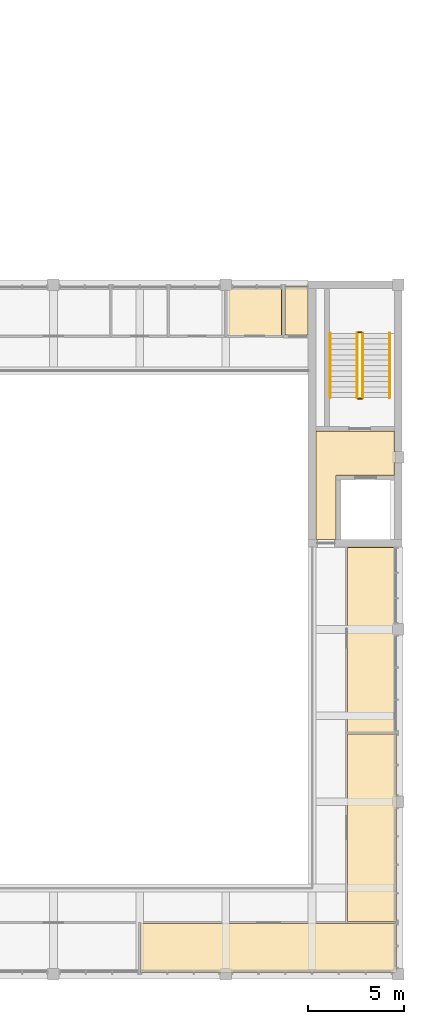
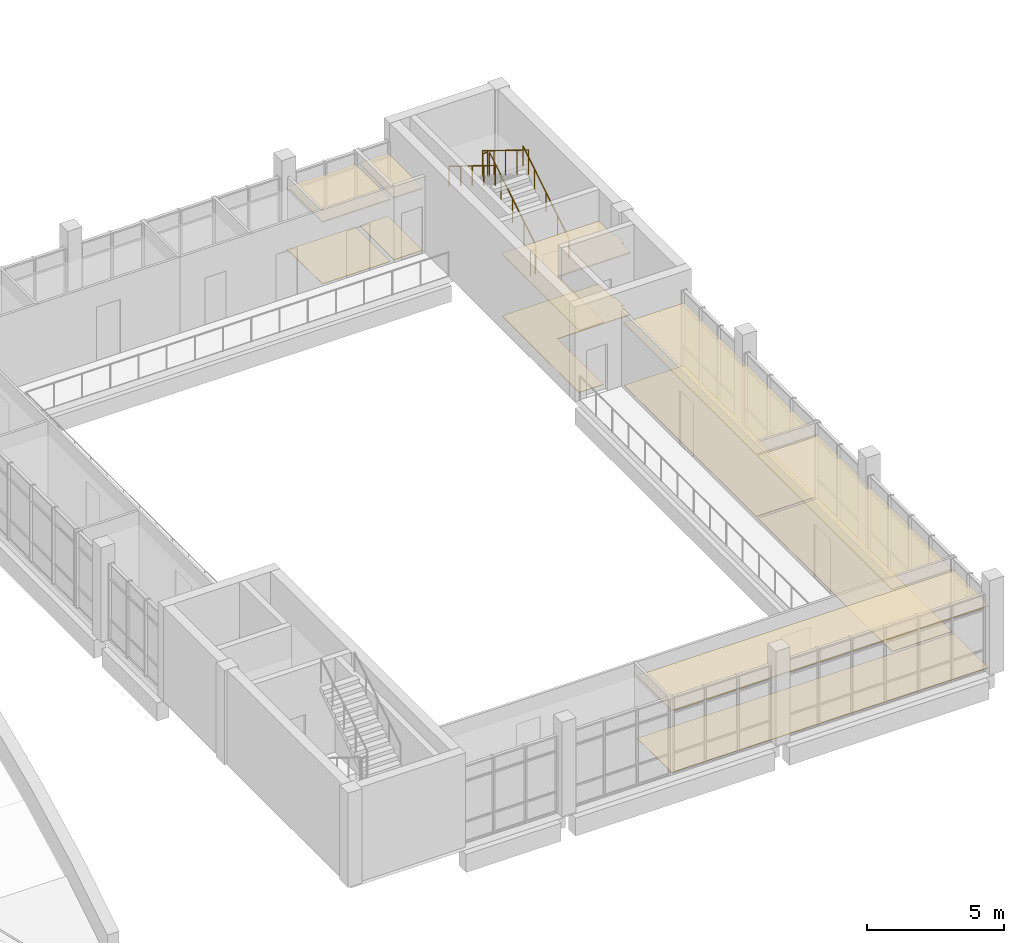
# One storey, part 70 of 88: 12 coverings, 6 railings.
"""IFC4 building model written with IfcOpenShell, lengths in metres."""

from ifc_helpers import new_model, si_unit, direction, frame, origin, origin_2d, place, context, subcontext, project, spatial, polyline, circle, outline, extrude, material, layer, layer_set, type_object, element, save


model = new_model("IFC4")

# Units and contexts
model_context = context("Model", 3, precision=1e-05, world=origin(), true_north=direction((0.0, 1.0)))
body_context = subcontext(model_context, "Body", "Model", "MODEL_VIEW")
ifc_project = project(units=[si_unit("LENGTHUNIT", "METRE"), si_unit("AREAUNIT", "SQUARE_METRE"), si_unit("VOLUMEUNIT", "CUBIC_METRE"), si_unit("PLANEANGLEUNIT", "RADIAN"), si_unit("MASSUNIT", "GRAM", prefix="KILO")], contexts=[model_context])

# Site, building, storey
site_placement = place(None, origin())
site = spatial("IfcSite", under=ifc_project, at=site_placement, CompositionType="ELEMENT")
building_placement = place(site_placement, origin())
building = spatial("IfcBuilding", under=site, at=building_placement, Name="Merrow Basin Faculty of Sciences", CompositionType="ELEMENT")
storey_placement = place(building_placement, frame((0.0, 0.0, 9.0)))
storey = spatial("IfcBuildingStorey", under=building, at=storey_placement, Name="L02", CompositionType="ELEMENT", Elevation=9.0)

# Coverings
ifc_material_1 = material(Name="Carpet tile floor")
ifc_layer_1 = layer(ifc_material_1, 0.02001953125)
ifc_layer_set_1 = layer_set([ifc_layer_1], Name="Carpet tile floor")
covering_type_1 = type_object("IfcCoveringType", Name="Carpet tile floor", PredefinedType="FLOORING", material=ifc_layer_set_1)
covering_1_placement = place(storey_placement, origin())
element("IfcCovering", 1, at=covering_1_placement, inside=storey, type_object=covering_type_1, Name="Floor finish L02-A-008", PredefinedType="FLOORING", context=body_context, shape_type="SweptSolid", body=[
    extrude(outline(polyline([(71.889892578125, 0.110107421875), (58.56005859375, 0.110107421875), (58.56005859375, 2.639892578125), (71.889892578125, 2.639892578125), (71.889892578125, 0.110107421875)])), origin(), (0.0, 0.0, 1.0), 0.02001953125),
])
covering_2_placement = place(storey_placement, origin())
element("IfcCovering", 2, at=covering_2_placement, inside=storey, type_object=covering_type_1, Name="Floor finish L02-A-009", PredefinedType="FLOORING", context=body_context, shape_type="SweptSolid", body=[
    extrude(outline(polyline([(71.889892578125, 2.760009765625), (69.360107421875, 2.760009765625), (69.360107421875, 12.5400390625), (71.889892578125, 12.5400390625), (71.889892578125, 2.760009765625)])), origin(), (0.0, 0.0, 1.0), 0.02001953125),
])
covering_3_placement = place(storey_placement, origin())
element("IfcCovering", 3, at=covering_3_placement, inside=storey, type_object=covering_type_1, Name="Floor finish L02-A-010", PredefinedType="FLOORING", context=body_context, shape_type="SweptSolid", body=[
    extrude(outline(polyline([(71.889892578125, 12.659912109375), (69.360107421875, 12.659912109375), (69.360107421875, 22.2900390625), (71.889892578125, 22.2900390625), (71.889892578125, 12.659912109375)])), origin(), (0.0, 0.0, 1.0), 0.02001953125),
])
ifc_material_2 = material(Name="Ceramic floor tile")
ifc_layer_2 = layer(ifc_material_2, 0.02001953125)
ifc_layer_set_2 = layer_set([ifc_layer_2], Name="Ceramic floor tile")
covering_type_2 = type_object("IfcCoveringType", Name="Ceramic floor tile", PredefinedType="FLOORING", material=ifc_layer_set_2)
covering_4_placement = place(storey_placement, origin())
element("IfcCovering", 4, at=covering_4_placement, inside=storey, type_object=covering_type_2, Name="Floor finish L02-A-015", PredefinedType="FLOORING", context=body_context, shape_type="SweptSolid", body=[
    extrude(outline(polyline([(63.010009765625, 35.889892578125), (65.9150390625, 35.889892578125), (65.9150390625, 33.360107421875), (63.06005859375, 33.360107421875), (63.06005859375, 35.7099609375), (63.010009765625, 35.7099609375), (63.010009765625, 35.889892578125)])), origin(), (0.0, 0.0, 1.0), 0.02001953125),
])
ifc_material_3 = material(Name="Polished terrazzo floor")
ifc_layer_3 = layer(ifc_material_3, 0.02001953125)
ifc_layer_set_3 = layer_set([ifc_layer_3], Name="Polished terrazzo floor")
covering_type_3 = type_object("IfcCoveringType", Name="Polished terrazzo floor", PredefinedType="FLOORING", material=ifc_layer_set_3)
covering_5_placement = place(storey_placement, origin())
element("IfcCovering", 5, at=covering_5_placement, inside=storey, type_object=covering_type_3, Name="Floor finish L02-A-006", PredefinedType="FLOORING", context=body_context, shape_type="SweptSolid", body=[
    extrude(outline(polyline([(71.889892578125, 26.7099609375), (71.7900390625, 26.7099609375), (71.7900390625, 26.06005859375), (68.739990234375, 26.06005859375), (68.739990234375, 22.7099609375), (67.7099609375, 22.7099609375), (67.7099609375, 28.340087890625), (71.7900390625, 28.340087890625), (71.7900390625, 27.2900390625), (71.889892578125, 27.2900390625), (71.889892578125, 26.7099609375)])), origin(), (0.0, 0.0, 1.0), 0.02001953125),
])
ifc_material_4 = material(Name="Sealed concrete floor", Category="concrete")
ifc_layer_4 = layer(ifc_material_4, 0.02001953125)
ifc_layer_set_4 = layer_set([ifc_layer_4], Name="Sealed concrete floor")
covering_type_4 = type_object("IfcCoveringType", Name="Sealed concrete floor", PredefinedType="FLOORING", material=ifc_layer_set_4)
covering_6_placement = place(storey_placement, origin())
element("IfcCovering", 6, at=covering_6_placement, inside=storey, type_object=covering_type_4, Name="Floor finish L02-A-016", PredefinedType="FLOORING", context=body_context, shape_type="SweptSolid", body=[
    extrude(outline(polyline([(67.2900390625, 35.889892578125), (67.2900390625, 33.385009765625), (66.0849609375, 33.385009765625), (66.0849609375, 35.889892578125), (67.2900390625, 35.889892578125)])), origin(), (0.0, 0.0, 1.0), 0.02001953125),
])

# Railings
ifc_material_5 = material(Name="Steel ASTM A36", Category="steel")
railing_type_1 = type_object("IfcRailingType", Name="Steel guard 1100", PredefinedType="GUARDRAIL", material=ifc_material_5)
railing_1_placement = place(storey_placement, frame((70.14990234375, 30.10009765625, 0.173095703125)))
element("IfcRailing", 7, at=railing_1_placement, inside=storey, type_object=railing_type_1, Name="L02 ST-V3-E stair guard 1", PredefinedType="GUARDRAIL", context=body_context, shape_type="SweptSolid", body=[
    extrude(circle(Radius=0.02392578125, at=origin_2d()), frame((0.0, 0.0, 1.076171875), z_axis=(0.0, 0.850606129759, 0.525803396734), x_axis=(-1.0, 0.0, 0.0)), (0.0, 0.0, 1.0), 3.949951171875),
    extrude(circle(Radius=0.02099609375, at=origin_2d()), origin(), (0.0, 0.0, 1.0), 1.052001953125),
    extrude(circle(Radius=0.02099609375, at=origin_2d()), frame((0.0, 0.83984375, 0.519287109375)), (0.0, 0.0, 1.0), 1.052001953125),
    extrude(circle(Radius=0.02099609375, at=origin_2d()), frame((0.0, 1.679931640625, 1.03857421875)), (0.0, 0.0, 1.0), 1.052001953125),
    extrude(circle(Radius=0.02099609375, at=origin_2d()), frame((0.0, 2.52001953125, 1.5576171875)), (0.0, 0.0, 1.0), 1.052001953125),
    extrude(circle(Radius=0.02099609375, at=origin_2d()), frame((0.0, 3.35986328125, 2.076904296875)), (0.0, 0.0, 1.0), 1.052001953125),
])
railing_2_placement = place(storey_placement, frame((70.10009765625, 33.510009765625, 2.25)))
element("IfcRailing", 8, at=railing_2_placement, inside=storey, type_object=railing_type_1, Name="L02 ST-V3-E stair guard 2", PredefinedType="GUARDRAIL", context=body_context, shape_type="SweptSolid", body=[
    extrude(circle(Radius=0.02392578125, at=origin_2d()), frame((0.0, 0.0, 1.076171875), z_axis=(-1.0, 0.0, 0.0), x_axis=(0.0, -1.0, 0.0)), (0.0, 0.0, 1.0), 0.2001953125),
    extrude(circle(Radius=0.02099609375, at=origin_2d()), origin(), (0.0, 0.0, 1.0), 1.052001953125),
    extrude(circle(Radius=0.02099609375, at=origin_2d()), frame((-0.2001953125, 0.0, 0.0)), (0.0, 0.0, 1.0), 1.052001953125),
])
railing_3_placement = place(storey_placement, frame((69.85009765625, 33.4599609375, 2.423095703125)))
element("IfcRailing", 9, at=railing_3_placement, inside=storey, type_object=railing_type_1, Name="L02 ST-V3-E stair guard 3", PredefinedType="GUARDRAIL", context=body_context, shape_type="SweptSolid", body=[
    extrude(circle(Radius=0.02392578125, at=origin_2d()), frame((0.0, 0.0, 1.076171875), z_axis=(0.0, -0.850606129759, 0.525803396734), x_axis=(1.0, 0.0, 0.0)), (0.0, 0.0, 1.0), 3.949951171875),
    extrude(circle(Radius=0.02099609375, at=origin_2d()), origin(), (0.0, 0.0, 1.0), 1.052001953125),
    extrude(circle(Radius=0.02099609375, at=origin_2d()), frame((0.0, -0.83984375, 0.519287109375)), (0.0, 0.0, 1.0), 1.052001953125),
    extrude(circle(Radius=0.02099609375, at=origin_2d()), frame((0.0, -1.679931640625, 1.03857421875)), (0.0, 0.0, 1.0), 1.052001953125),
    extrude(circle(Radius=0.02099609375, at=origin_2d()), frame((0.0, -2.52001953125, 1.5576171875)), (0.0, 0.0, 1.0), 1.052001953125),
    extrude(circle(Radius=0.02099609375, at=origin_2d()), frame((0.0, -3.35986328125, 2.076904296875)), (0.0, 0.0, 1.0), 1.052001953125),
])
railing_4_placement = place(storey_placement, frame((70.10009765625, 30.050048828125, 0.0)))
element("IfcRailing", 10, at=railing_4_placement, inside=storey, type_object=railing_type_1, Name="L02 ST-V3-E stair guard 4", PredefinedType="GUARDRAIL", context=body_context, shape_type="SweptSolid", body=[
    extrude(circle(Radius=0.02392578125, at=origin_2d()), frame((0.0, 0.0, 1.076171875), z_axis=(-1.0, 0.0, 0.0), x_axis=(0.0, -1.0, 0.0)), (0.0, 0.0, 1.0), 0.2001953125),
    extrude(circle(Radius=0.02099609375, at=origin_2d()), origin(), (0.0, 0.0, 1.0), 1.052001953125),
    extrude(circle(Radius=0.02099609375, at=origin_2d()), frame((-0.2001953125, 0.0, 0.0)), (0.0, 0.0, 1.0), 1.052001953125),
])
ifc_material_6 = material(Name="Steel ASTM A36", Category="steel")
railing_type_2 = type_object("IfcRailingType", Name="Steel handrail 900", PredefinedType="HANDRAIL", material=ifc_material_6)
railing_5_placement = place(storey_placement, frame((71.550048828125, 30.10009765625, 0.173095703125)))
element("IfcRailing", 11, at=railing_5_placement, inside=storey, type_object=railing_type_2, Name="L02 ST-V3-E stair handrail 1", PredefinedType="HANDRAIL", context=body_context, shape_type="SweptSolid", body=[
    extrude(circle(Radius=0.02392578125, at=origin_2d()), frame((0.0, 0.0, 0.8759765625), z_axis=(0.0, 0.850606129759, 0.525803396734), x_axis=(-1.0, 0.0, 0.0)), (0.0, 0.0, 1.0), 3.949951171875),
    extrude(circle(Radius=0.02099609375, at=origin_2d()), origin(), (0.0, 0.0, 1.0), 0.851806640625),
    extrude(circle(Radius=0.02099609375, at=origin_2d()), frame((0.0, 0.83984375, 0.519287109375)), (0.0, 0.0, 1.0), 0.851806640625),
    extrude(circle(Radius=0.02099609375, at=origin_2d()), frame((0.0, 1.679931640625, 1.03857421875)), (0.0, 0.0, 1.0), 0.851806640625),
    extrude(circle(Radius=0.02099609375, at=origin_2d()), frame((0.0, 2.52001953125, 1.5576171875)), (0.0, 0.0, 1.0), 0.851806640625),
    extrude(circle(Radius=0.02099609375, at=origin_2d()), frame((0.0, 3.35986328125, 2.076904296875)), (0.0, 0.0, 1.0), 0.851806640625),
])
railing_6_placement = place(storey_placement, frame((68.449951171875, 33.4599609375, 2.423095703125)))
element("IfcRailing", 12, at=railing_6_placement, inside=storey, type_object=railing_type_2, Name="L02 ST-V3-E stair handrail 2", PredefinedType="HANDRAIL", context=body_context, shape_type="SweptSolid", body=[
    extrude(circle(Radius=0.02392578125, at=origin_2d()), frame((0.0, 0.0, 0.8759765625), z_axis=(0.0, -0.850606129759, 0.525803396734), x_axis=(1.0, 0.0, 0.0)), (0.0, 0.0, 1.0), 3.949951171875),
    extrude(circle(Radius=0.02099609375, at=origin_2d()), origin(), (0.0, 0.0, 1.0), 0.851806640625),
    extrude(circle(Radius=0.02099609375, at=origin_2d()), frame((0.0, -0.83984375, 0.519287109375)), (0.0, 0.0, 1.0), 0.851806640625),
    extrude(circle(Radius=0.02099609375, at=origin_2d()), frame((0.0, -1.679931640625, 1.03857421875)), (0.0, 0.0, 1.0), 0.851806640625),
    extrude(circle(Radius=0.02099609375, at=origin_2d()), frame((0.0, -2.52001953125, 1.5576171875)), (0.0, 0.0, 1.0), 0.851806640625),
    extrude(circle(Radius=0.02099609375, at=origin_2d()), frame((0.0, -3.35986328125, 2.076904296875)), (0.0, 0.0, 1.0), 0.851806640625),
])

# Coverings
ifc_material_7 = material(Name="Mineral fibre ceiling tile")
ifc_layer_5 = layer(ifc_material_7, 0.050048828125)
ifc_layer_set_5 = layer_set([ifc_layer_5], Name="Suspended acoustic ceiling tile")
covering_type_5 = type_object("IfcCoveringType", Name="Suspended acoustic ceiling tile", PredefinedType="CEILING", material=ifc_layer_set_5)
covering_7_placement = place(storey_placement, frame((0.0, 0.0, 2.75)))
element("IfcCovering", 13, at=covering_7_placement, inside=storey, type_object=covering_type_5, Name="Ceiling L02-A-006", PredefinedType="CEILING", context=body_context, shape_type="SweptSolid", body=[
    extrude(outline(polyline([(71.89990234375, 26.699951171875), (71.800048828125, 26.699951171875), (71.800048828125, 26.050048828125), (68.75, 26.050048828125), (68.75, 22.699951171875), (67.699951171875, 22.699951171875), (67.699951171875, 28.35009765625), (71.800048828125, 28.35009765625), (71.800048828125, 27.300048828125), (71.89990234375, 27.300048828125), (71.89990234375, 26.699951171875)])), origin(), (0.0, 0.0, 1.0), 0.050048828125),
])
covering_8_placement = place(storey_placement, frame((0.0, 0.0, 2.75)))
element("IfcCovering", 14, at=covering_8_placement, inside=storey, type_object=covering_type_5, Name="Ceiling L02-A-008", PredefinedType="CEILING", context=body_context, shape_type="SweptSolid", body=[
    extrude(outline(polyline([(71.89990234375, 0.10009765625), (58.550048828125, 0.10009765625), (58.550048828125, 2.64990234375), (71.89990234375, 2.64990234375), (71.89990234375, 0.10009765625)])), origin(), (0.0, 0.0, 1.0), 0.050048828125),
])
covering_9_placement = place(storey_placement, frame((0.0, 0.0, 2.75)))
element("IfcCovering", 15, at=covering_9_placement, inside=storey, type_object=covering_type_5, Name="Ceiling L02-A-009", PredefinedType="CEILING", context=body_context, shape_type="SweptSolid", body=[
    extrude(outline(polyline([(71.89990234375, 2.75), (69.35009765625, 2.75), (69.35009765625, 12.550048828125), (71.89990234375, 12.550048828125), (71.89990234375, 2.75)])), origin(), (0.0, 0.0, 1.0), 0.050048828125),
])
covering_10_placement = place(storey_placement, frame((0.0, 0.0, 2.75)))
element("IfcCovering", 16, at=covering_10_placement, inside=storey, type_object=covering_type_5, Name="Ceiling L02-A-010", PredefinedType="CEILING", context=body_context, shape_type="SweptSolid", body=[
    extrude(outline(polyline([(71.89990234375, 12.64990234375), (69.35009765625, 12.64990234375), (69.35009765625, 22.300048828125), (71.89990234375, 22.300048828125), (71.89990234375, 12.64990234375)])), origin(), (0.0, 0.0, 1.0), 0.050048828125),
])
covering_11_placement = place(storey_placement, frame((0.0, 0.0, 2.75)))
element("IfcCovering", 17, at=covering_11_placement, inside=storey, type_object=covering_type_5, Name="Ceiling L02-A-015", PredefinedType="CEILING", context=body_context, shape_type="SweptSolid", body=[
    extrude(outline(polyline([(63.0, 35.89990234375), (65.925048828125, 35.89990234375), (65.925048828125, 33.35009765625), (63.050048828125, 33.35009765625), (63.050048828125, 35.699951171875), (63.0, 35.699951171875), (63.0, 35.89990234375)])), origin(), (0.0, 0.0, 1.0), 0.050048828125),
])
covering_12_placement = place(storey_placement, frame((0.0, 0.0, 2.75)))
element("IfcCovering", 18, at=covering_12_placement, inside=storey, type_object=covering_type_5, Name="Ceiling L02-A-016", PredefinedType="CEILING", context=body_context, shape_type="SweptSolid", body=[
    extrude(outline(polyline([(67.300048828125, 35.89990234375), (67.300048828125, 33.375), (66.074951171875, 33.375), (66.074951171875, 35.89990234375), (67.300048828125, 35.89990234375)])), origin(), (0.0, 0.0, 1.0), 0.050048828125),
])

save(model, "model.ifc")
